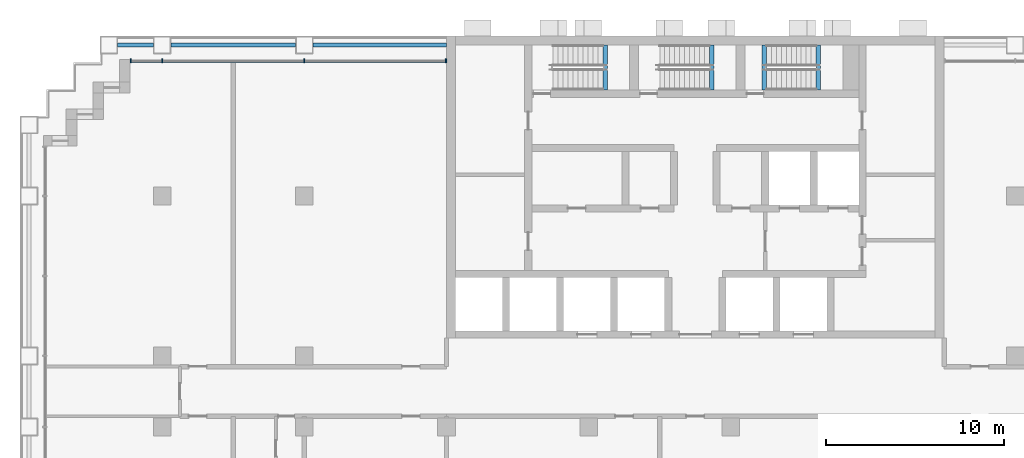
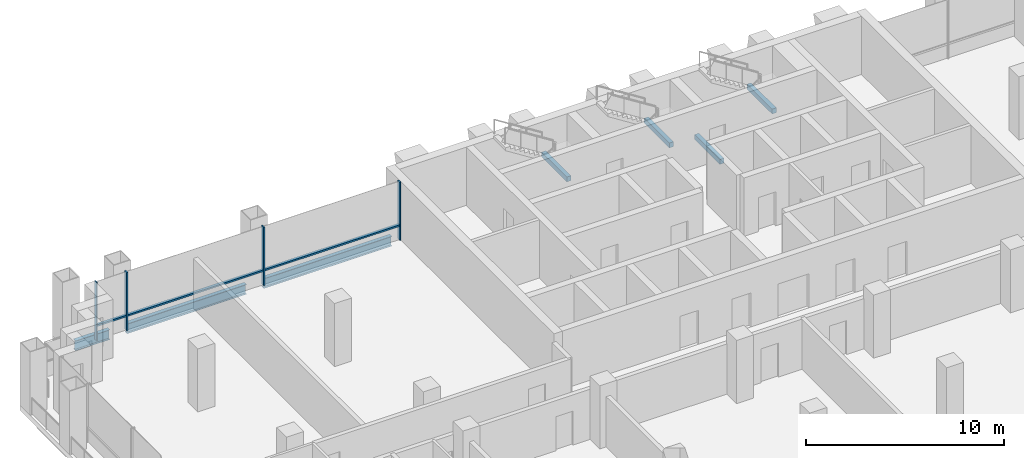
# One storey, part 4 of 13: 7 beams, 7 members, 1 element without a shape of its own.
"""IFC4 building model written with IfcOpenShell, lengths in metres."""

from ifc_helpers import new_model, si_unit, direction, frame, origin, origin_2d, place, context, subcontext, project, spatial, rectangle, i_section, extrude, material, material_profile, profile_set, type_object, element, aggregate, save


model = new_model("IFC4")

# Units and contexts
model_context = context("Model", 3, precision=1e-05, world=origin(), true_north=direction((0.0, 1.0)))
body_context = subcontext(model_context, "Body", "Model", "MODEL_VIEW")
ifc_project = project(units=[si_unit("LENGTHUNIT", "METRE"), si_unit("AREAUNIT", "SQUARE_METRE"), si_unit("VOLUMEUNIT", "CUBIC_METRE"), si_unit("PLANEANGLEUNIT", "RADIAN"), si_unit("MASSUNIT", "GRAM", prefix="KILO")], contexts=[model_context])

# Site, building, storey
site_placement = place(None, origin())
site = spatial("IfcSite", under=ifc_project, at=site_placement, CompositionType="ELEMENT")
building_placement = place(site_placement, origin())
building = spatial("IfcBuilding", under=site, at=building_placement, Name="Vidyagriha Tower", CompositionType="ELEMENT")
storey_placement = place(building_placement, frame((0.0, 0.0, 33.800048828125)))
storey = spatial("IfcBuildingStorey", under=building, at=storey_placement, Name="L08", CompositionType="ELEMENT", Elevation=33.800048828125)

# Beams
ifc_material_1 = material(Name="Steel ASTM A992 Grade 50", Category="steel")
ifc_material_profile_1 = material_profile(ifc_material_1, i_section(OverallWidth=0.228271484375, OverallDepth=0.607177734375, WebThickness=0.01123046875, FlangeThickness=0.017333984375, at=origin_2d()), Name="W24X76")
ifc_profile_set_1 = profile_set([ifc_material_profile_1], Name="Steel ASTM A992 Grade 50")
beam_type_1 = type_object("IfcBeamType", Name="Edge beam W24X76", PredefinedType="SPANDREL", material=ifc_profile_set_1)
beam_1_placement = place(storey_placement, frame((-32.5, 19.5, -0.603515625), z_axis=(1.0, 0.0, 0.0), x_axis=(0.0, 1.0, 0.0)))
element("IfcBeam", 1, at=beam_1_placement, inside=storey, type_object=beam_type_1, Name="st-beam-L08-NW20", PredefinedType="SPANDREL", context=body_context, shape_type="SweptSolid", body=[
    extrude(i_section(OverallWidth=0.228271484375, OverallDepth=0.607177734375, WebThickness=0.01123046875, FlangeThickness=0.017333984375, at=origin_2d()), origin(), (0.0, 0.0, 1.0), 2.0),
])
beam_2_placement = place(storey_placement, frame((-29.5, 19.5, -0.603515625), z_axis=(1.0, 0.0, 0.0), x_axis=(0.0, 1.0, 0.0)))
element("IfcBeam", 2, at=beam_2_placement, inside=storey, type_object=beam_type_1, Name="st-beam-L08-NW21", PredefinedType="SPANDREL", context=body_context, shape_type="SweptSolid", body=[
    extrude(i_section(OverallWidth=0.228271484375, OverallDepth=0.607177734375, WebThickness=0.01123046875, FlangeThickness=0.017333984375, at=origin_2d()), origin(), (0.0, 0.0, 1.0), 7.0),
])
beam_3_placement = place(storey_placement, frame((-21.5, 19.5, -0.603515625), z_axis=(1.0, 0.0, 0.0), x_axis=(0.0, 1.0, 0.0)))
element("IfcBeam", 3, at=beam_3_placement, inside=storey, type_object=beam_type_1, Name="st-beam-L08-NC24", PredefinedType="SPANDREL", context=body_context, shape_type="SweptSolid", body=[
    extrude(i_section(OverallWidth=0.228271484375, OverallDepth=0.607177734375, WebThickness=0.01123046875, FlangeThickness=0.017333984375, at=origin_2d()), origin(), (0.0, 0.0, 1.0), 7.5),
])

# Curtain wall, members
ifc_material_2 = material(Name="Aluminium and glass curtain wall", Category="aluminium")
curtain_wall_type = type_object("IfcCurtainWallType", Name="Classroom skin unitised curtain wall", PredefinedType="USERDEFINED", material=ifc_material_2)
curtain_wall_placement = place(storey_placement, origin())
curtain_wall = element("IfcCurtainWall", 4, at=curtain_wall_placement, inside=storey, type_object=curtain_wall_type, Name="CW2 classroom skin", ObjectType="UNITISED", PredefinedType="USERDEFINED")
ifc_material_3 = material(Name="Aluminium black anodised", Category="aluminium")
ifc_material_profile_2 = material_profile(ifc_material_3, rectangle(XDim=0.219970703125, YDim=0.070068359375, at=origin_2d()), Name="Mullion 70x220 black aluminium")
ifc_profile_set_2 = profile_set([ifc_material_profile_2], Name="Aluminium black anodised")
member_type_1 = type_object("IfcMemberType", Name="Mullion 70x220 black aluminium", PredefinedType="MULLION", material=ifc_profile_set_2)
member_1_placement = place(storey_placement, frame((-14.034912109375, 18.60009765625, 0.0), z_axis=(0.0, 0.0, 1.0), x_axis=(0.0, -1.0, 0.0)))
member_1 = element("IfcMember", 5, at=member_1_placement, type_object=member_type_1, Name="CW2 mullion 1", PredefinedType="MULLION", context=body_context, shape_type="SweptSolid", body=[
    extrude(rectangle(XDim=0.219970703125, YDim=0.070068359375, at=origin_2d()), origin(), (0.0, 0.0, 1.0), 3.599853515625),
])
member_2_placement = place(storey_placement, frame((-22.0, 18.60009765625, 0.0), z_axis=(0.0, 0.0, 1.0), x_axis=(0.0, -1.0, 0.0)))
member_2 = element("IfcMember", 6, at=member_2_placement, type_object=member_type_1, Name="CW2 mullion 2", PredefinedType="MULLION", context=body_context, shape_type="SweptSolid", body=[
    extrude(rectangle(XDim=0.219970703125, YDim=0.070068359375, at=origin_2d()), origin(), (0.0, 0.0, 1.0), 3.599853515625),
])
member_3_placement = place(storey_placement, frame((-30.0, 18.60009765625, 0.0), z_axis=(0.0, 0.0, 1.0), x_axis=(0.0, -1.0, 0.0)))
member_3 = element("IfcMember", 7, at=member_3_placement, type_object=member_type_1, Name="CW2 mullion 3", PredefinedType="MULLION", context=body_context, shape_type="SweptSolid", body=[
    extrude(rectangle(XDim=0.219970703125, YDim=0.070068359375, at=origin_2d()), origin(), (0.0, 0.0, 1.0), 3.599853515625),
])
member_4_placement = place(storey_placement, frame((-31.764892578125, 18.60009765625, 0.0), z_axis=(0.0, 0.0, 1.0), x_axis=(0.0, -1.0, 0.0)))
member_4 = element("IfcMember", 8, at=member_4_placement, type_object=member_type_1, Name="CW2 mullion 4", PredefinedType="MULLION", context=body_context, shape_type="SweptSolid", body=[
    extrude(rectangle(XDim=0.219970703125, YDim=0.070068359375, at=origin_2d()), origin(), (0.0, 0.0, 1.0), 3.599853515625),
])

# Beams
ifc_material_4 = material(Name="Concrete C40/50", Category="concrete")
ifc_material_profile_3 = material_profile(ifc_material_4, rectangle(XDim=0.25, YDim=0.300048828125, at=origin_2d()), Name="Stair landing bearing beam 250x300")
ifc_profile_set_3 = profile_set([ifc_material_profile_3], Name="Concrete C40/50")
beam_type_2 = type_object("IfcBeamType", Name="Stair landing bearing beam 250x300", PredefinedType="BEAM", material=ifc_profile_set_3)
for number, where, z_axis, x_axis, name in (
    (9, (3.875, 16.949951171875, -0.449951171875), (0.0, 1.0, 0.0), (-1.0, 0.0, 0.0), "ST3 floor landing bearing beam L08"),
    (10, (-5.074951171875, 16.949951171875, 1.599853515625), (0.0, 1.0, 0.0), (-1.0, 0.0, 0.0), "ST1 landing bearing beam L08"),
    (11, (0.925048828125, 16.949951171875, 1.599853515625), (0.0, 1.0, 0.0), (-1.0, 0.0, 0.0), "ST2 landing bearing beam L08"),
    (12, (6.925048828125, 16.949951171875, 1.599853515625), (0.0, 1.0, 0.0), (-1.0, 0.0, 0.0), "ST3 landing bearing beam L08"),
):
    element("IfcBeam", number, at=place(storey_placement, frame(where, z_axis=z_axis, x_axis=x_axis)), inside=storey, type_object=beam_type_2, Name=name, PredefinedType="BEAM", context=body_context, shape_type="SweptSolid", body=[
        extrude(rectangle(XDim=0.25, YDim=0.300048828125, at=origin_2d()), origin(), (0.0, 0.0, 1.0), 2.550048828125),
    ])

# Member
ifc_material_5 = material(Name="Aluminium black anodised", Category="aluminium")
ifc_material_profile_4 = material_profile(ifc_material_5, rectangle(XDim=0.159912109375, YDim=0.10009765625, at=origin_2d()), Name="Transom 100x160 black aluminium")
ifc_profile_set_4 = profile_set([ifc_material_profile_4], Name="Aluminium black anodised")
member_type_2 = type_object("IfcMemberType", Name="Transom 100x160 black aluminium", PredefinedType="USERDEFINED", material=ifc_profile_set_4)
member_5_placement = place(storey_placement, frame((-14.070068359375, 18.60009765625, 0.89990234375), z_axis=(-1.0, 0.0, 0.0), x_axis=(0.0, -1.0, 0.0)))
member_5 = element("IfcMember", 13, at=member_5_placement, type_object=member_type_2, Name="CW2 transom 1.1", ObjectType="TRANSOM", PredefinedType="USERDEFINED", context=body_context, shape_type="SweptSolid", body=[
    extrude(rectangle(XDim=0.159912109375, YDim=0.10009765625, at=origin_2d()), origin(), (0.0, 0.0, 1.0), 7.89501953125),
])

member_6_placement = place(storey_placement, frame((-22.034912109375, 18.60009765625, 0.89990234375), z_axis=(-1.0, 0.0, 0.0), x_axis=(0.0, -1.0, 0.0)))
member_6 = element("IfcMember", 14, at=member_6_placement, type_object=member_type_2, Name="CW2 transom 2.1", ObjectType="TRANSOM", PredefinedType="USERDEFINED", context=body_context, shape_type="SweptSolid", body=[
    extrude(rectangle(XDim=0.159912109375, YDim=0.10009765625, at=origin_2d()), origin(), (0.0, 0.0, 1.0), 7.93017578125),
])

member_7_placement = place(storey_placement, frame((-30.034912109375, 18.60009765625, 0.89990234375), z_axis=(-1.0, 0.0, 0.0), x_axis=(0.0, -1.0, 0.0)))
member_7 = element("IfcMember", 15, at=member_7_placement, type_object=member_type_2, Name="CW2 transom 3.1", ObjectType="TRANSOM", PredefinedType="USERDEFINED", context=body_context, shape_type="SweptSolid", body=[
    extrude(rectangle(XDim=0.159912109375, YDim=0.10009765625, at=origin_2d()), origin(), (0.0, 0.0, 1.0), 1.695068359375),
])

aggregate(curtain_wall, [member_1, member_2, member_3, member_4, member_5, member_6, member_7])

save(model, "model.ifc")
